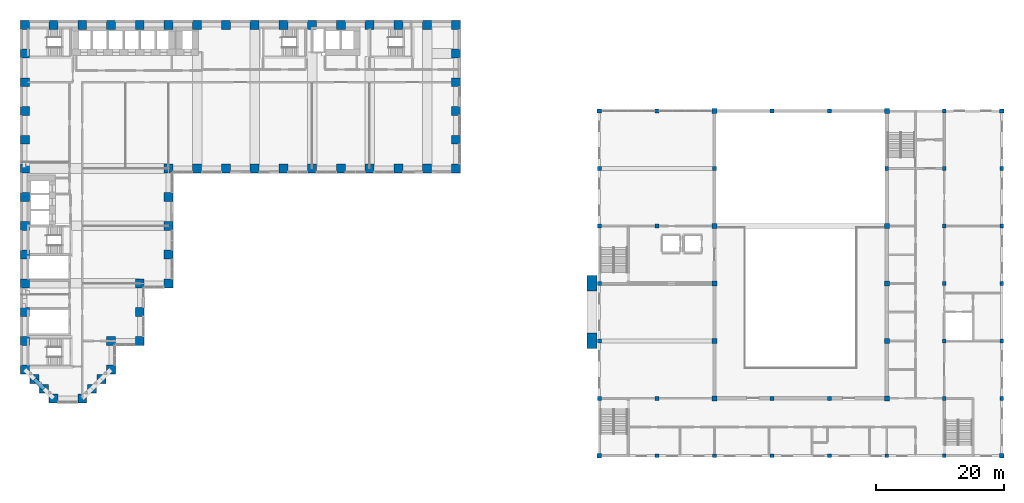
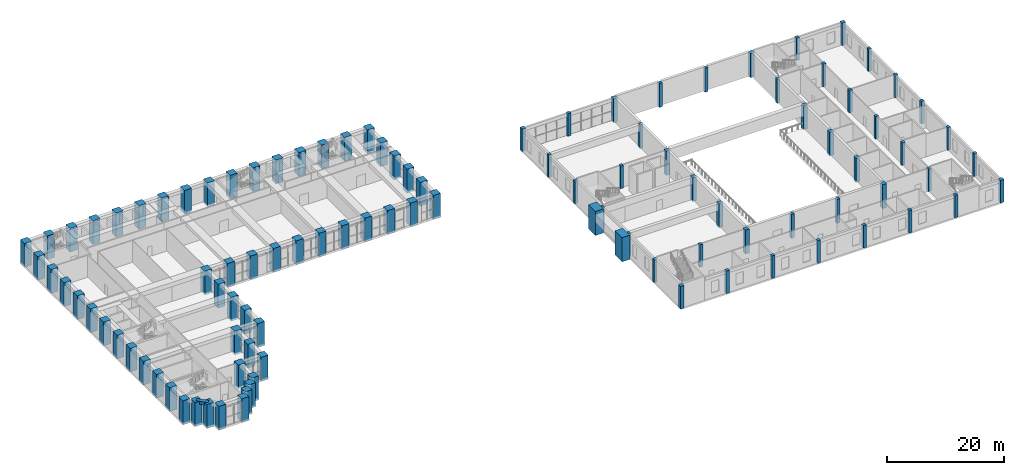
# One storey, part 1 of 34: 105 columns, 1 beam.
"""IFC4 building model written with IfcOpenShell, lengths in metres."""

from ifc_helpers import new_model, si_unit, direction, frame, origin, origin_2d, place, context, subcontext, project, spatial, rectangle, extrude, material, material_profile, profile_set, type_object, element, save


model = new_model("IFC4")

# Units and contexts
model_context = context("Model", 3, precision=1e-05, world=origin(), true_north=direction((0.0, 1.0)))
body_context = subcontext(model_context, "Body", "Model", "MODEL_VIEW")
ifc_project = project(units=[si_unit("LENGTHUNIT", "METRE"), si_unit("AREAUNIT", "SQUARE_METRE"), si_unit("VOLUMEUNIT", "CUBIC_METRE"), si_unit("PLANEANGLEUNIT", "RADIAN"), si_unit("MASSUNIT", "GRAM", prefix="KILO")], contexts=[model_context])

# Site, building, storey
site_placement = place(None, origin())
site = spatial("IfcSite", under=ifc_project, at=site_placement, CompositionType="ELEMENT")
building_placement = place(site_placement, origin())
building = spatial("IfcBuilding", under=site, at=building_placement, Name="Firuza Court", CompositionType="ELEMENT")
storey_placement = place(building_placement, frame((0.0, 0.0, 19.0)))
storey = spatial("IfcBuildingStorey", under=building, at=storey_placement, Name="L03", CompositionType="ELEMENT", Elevation=19.0)

# Columns
ifc_material_1 = material(Name="Concrete C40/50", Category="concrete")
ifc_material_profile_1 = material_profile(ifc_material_1, rectangle(XDim=0.60009765625, YDim=0.60009765625, at=origin_2d()), Name="RC 600X600")
ifc_profile_set_1 = profile_set([ifc_material_profile_1], Name="Concrete C40/50")
column_type_1 = type_object("IfcColumnType", Name="RC COLUMN 600X600", PredefinedType="COLUMN", material=ifc_profile_set_1)
for number, where, z_axis, x_axis, name in (
    (1, (90.0, 0.0, 0.0), (0.0, 0.0, 1.0), (1.0, 0.0, 0.0), "Column 1-2 L03"),
    (2, (90.0, 9.0, 0.0), (0.0, 0.0, 1.0), (1.0, 0.0, 0.0), "Column 1-3 L03"),
    (3, (90.0, 18.0, 0.0), (0.0, 0.0, 1.0), (1.0, 0.0, 0.0), "Column 1-4 L03"),
    (4, (90.0, 27.0, 0.0), (0.0, 0.0, 1.0), (1.0, 0.0, 0.0), "Column 1-5 L03"),
    (5, (90.0, 36.0, 0.0), (0.0, 0.0, 1.0), (1.0, 0.0, 0.0), "Column 1-6 L03"),
    (6, (99.0, -9.0, 0.0), (0.0, 0.0, 1.0), (1.0, 0.0, 0.0), "Column 2-1 L03"),
    (7, (99.0, 0.0, 0.0), (0.0, 0.0, 1.0), (1.0, 0.0, 0.0), "Column 2-2 L03"),
    (8, (99.0, 27.0, 0.0), (0.0, 0.0, 1.0), (1.0, 0.0, 0.0), "Column 2-5 L03"),
    (9, (99.0, 45.0, 0.0), (0.0, 0.0, 1.0), (1.0, 0.0, 0.0), "Column 2-7 L03"),
    (10, (108.0, -9.0, 0.0), (0.0, 0.0, 1.0), (1.0, 0.0, 0.0), "Column 3-1 L03"),
):
    element("IfcColumn", number, at=place(storey_placement, frame(where, z_axis=z_axis, x_axis=x_axis)), inside=storey, type_object=column_type_1, Name=name, PredefinedType="COLUMN", context=body_context, shape_type="SweptSolid", body=[
        extrude(rectangle(XDim=0.60009765625, YDim=0.60009765625, at=origin_2d()), origin(), (0.0, 0.0, 1.0), 4.699951171875),
    ])
column_1_placement = place(storey_placement, frame((108.0, 36.0, -0.300048828125), z_axis=(0.0, 0.0, 1.0), x_axis=(1.0, 0.0, 0.0)))
element("IfcColumn", 11, at=column_1_placement, inside=storey, type_object=column_type_1, Name="Column 3-6 L03", PredefinedType="COLUMN", context=body_context, shape_type="SweptSolid", body=[
    extrude(rectangle(XDim=0.60009765625, YDim=0.60009765625, at=origin_2d()), origin(), (0.0, 0.0, 1.0), 5.0),
])
column_2_placement = place(storey_placement, frame((117.0, -9.0, 0.0), z_axis=(0.0, 0.0, 1.0), x_axis=(1.0, 0.0, 0.0)))
element("IfcColumn", 12, at=column_2_placement, inside=storey, type_object=column_type_1, Name="Column 4-1 L03", PredefinedType="COLUMN", context=body_context, shape_type="SweptSolid", body=[
    extrude(rectangle(XDim=0.60009765625, YDim=0.60009765625, at=origin_2d()), origin(), (0.0, 0.0, 1.0), 4.699951171875),
])
for number, where, z_axis, x_axis, name in (
    (13, (117.0, 0.0, -0.300048828125), (0.0, 0.0, 1.0), (1.0, 0.0, 0.0), "Column 4-2 L03"),
    (14, (117.0, 45.0, -0.300048828125), (0.0, 0.0, 1.0), (1.0, 0.0, 0.0), "Column 4-7 L03"),
):
    element("IfcColumn", number, at=place(storey_placement, frame(where, z_axis=z_axis, x_axis=x_axis)), inside=storey, type_object=column_type_1, Name=name, PredefinedType="COLUMN", context=body_context, shape_type="SweptSolid", body=[
        extrude(rectangle(XDim=0.60009765625, YDim=0.60009765625, at=origin_2d()), origin(), (0.0, 0.0, 1.0), 5.0),
    ])
column_3_placement = place(storey_placement, frame((126.0, -9.0, 0.0), z_axis=(0.0, 0.0, 1.0), x_axis=(1.0, 0.0, 0.0)))
element("IfcColumn", 15, at=column_3_placement, inside=storey, type_object=column_type_1, Name="Column 5-1 L03", PredefinedType="COLUMN", context=body_context, shape_type="SweptSolid", body=[
    extrude(rectangle(XDim=0.60009765625, YDim=0.60009765625, at=origin_2d()), origin(), (0.0, 0.0, 1.0), 4.699951171875),
])
for number, where, z_axis, x_axis, name in (
    (16, (126.0, 0.0, -0.300048828125), (0.0, 0.0, 1.0), (1.0, 0.0, 0.0), "Column 5-2 L03"),
    (17, (126.0, 45.0, -0.300048828125), (0.0, 0.0, 1.0), (1.0, 0.0, 0.0), "Column 5-7 L03"),
):
    element("IfcColumn", number, at=place(storey_placement, frame(where, z_axis=z_axis, x_axis=x_axis)), inside=storey, type_object=column_type_1, Name=name, PredefinedType="COLUMN", context=body_context, shape_type="SweptSolid", body=[
        extrude(rectangle(XDim=0.60009765625, YDim=0.60009765625, at=origin_2d()), origin(), (0.0, 0.0, 1.0), 5.0),
    ])
column_4_placement = place(storey_placement, frame((135.0, -9.0, 0.0), z_axis=(0.0, 0.0, 1.0), x_axis=(1.0, 0.0, 0.0)))
element("IfcColumn", 18, at=column_4_placement, inside=storey, type_object=column_type_1, Name="Column 6-1 L03", PredefinedType="COLUMN", context=body_context, shape_type="SweptSolid", body=[
    extrude(rectangle(XDim=0.60009765625, YDim=0.60009765625, at=origin_2d()), origin(), (0.0, 0.0, 1.0), 4.699951171875),
])
column_5_placement = place(storey_placement, frame((135.0, 36.0, -0.300048828125), z_axis=(0.0, 0.0, 1.0), x_axis=(1.0, 0.0, 0.0)))
element("IfcColumn", 19, at=column_5_placement, inside=storey, type_object=column_type_1, Name="Column 6-6 L03", PredefinedType="COLUMN", context=body_context, shape_type="SweptSolid", body=[
    extrude(rectangle(XDim=0.60009765625, YDim=0.60009765625, at=origin_2d()), origin(), (0.0, 0.0, 1.0), 5.0),
])
for number, where, z_axis, x_axis, name in (
    (20, (144.0, -9.0, 0.0), (0.0, 0.0, 1.0), (1.0, 0.0, 0.0), "Column 7-1 L03"),
    (21, (144.0, 0.0, 0.0), (0.0, 0.0, 1.0), (1.0, 0.0, 0.0), "Column 7-2 L03"),
    (22, (144.0, 9.0, 0.0), (0.0, 0.0, 1.0), (1.0, 0.0, 0.0), "Column 7-3 L03"),
    (23, (144.0, 18.0, 0.0), (0.0, 0.0, 1.0), (1.0, 0.0, 0.0), "Column 7-4 L03"),
    (24, (144.0, 27.0, 0.0), (0.0, 0.0, 1.0), (1.0, 0.0, 0.0), "Column 7-5 L03"),
    (25, (144.0, 36.0, 0.0), (0.0, 0.0, 1.0), (1.0, 0.0, 0.0), "Column 7-6 L03"),
    (26, (144.0, 45.0, 0.0), (0.0, 0.0, 1.0), (1.0, 0.0, 0.0), "Column 7-7 L03"),
    (27, (153.0, 0.0, 0.0), (0.0, 0.0, 1.0), (1.0, 0.0, 0.0), "Column 8-2 L03"),
    (28, (153.0, 9.0, 0.0), (0.0, 0.0, 1.0), (1.0, 0.0, 0.0), "Column 8-3 L03"),
    (29, (153.0, 18.0, 0.0), (0.0, 0.0, 1.0), (1.0, 0.0, 0.0), "Column 8-4 L03"),
    (30, (153.0, 27.0, 0.0), (0.0, 0.0, 1.0), (1.0, 0.0, 0.0), "Column 8-5 L03"),
    (31, (153.0, 36.0, 0.0), (0.0, 0.0, 1.0), (1.0, 0.0, 0.0), "Column 8-6 L03"),
):
    element("IfcColumn", number, at=place(storey_placement, frame(where, z_axis=z_axis, x_axis=x_axis)), inside=storey, type_object=column_type_1, Name=name, PredefinedType="COLUMN", context=body_context, shape_type="SweptSolid", body=[
        extrude(rectangle(XDim=0.60009765625, YDim=0.60009765625, at=origin_2d()), origin(), (0.0, 0.0, 1.0), 4.699951171875),
    ])
ifc_material_2 = material(Name="Concrete C40/50", Category="concrete")
ifc_material_profile_2 = material_profile(ifc_material_2, rectangle(XDim=0.699951171875, YDim=0.699951171875, at=origin_2d()), Name="RC 700X700")
ifc_profile_set_2 = profile_set([ifc_material_profile_2], Name="Concrete C40/50")
column_type_2 = type_object("IfcColumnType", Name="RC COLUMN 700X700", PredefinedType="COLUMN", material=ifc_profile_set_2)
for number, where, z_axis, x_axis, name in (
    (32, (90.0, -9.0, 0.0), (0.0, 0.0, 1.0), (1.0, 0.0, 0.0), "Column 1-1 L03"),
    (33, (90.0, 45.0, 0.0), (0.0, 0.0, 1.0), (1.0, 0.0, 0.0), "Column 1-7 L03"),
    (34, (153.0, -9.0, 0.0), (0.0, 0.0, 1.0), (1.0, 0.0, 0.0), "Column 8-1 L03"),
    (35, (153.0, 45.0, 0.0), (0.0, 0.0, 1.0), (1.0, 0.0, 0.0), "Column 8-7 L03"),
):
    element("IfcColumn", number, at=place(storey_placement, frame(where, z_axis=z_axis, x_axis=x_axis)), inside=storey, type_object=column_type_2, Name=name, PredefinedType="COLUMN", context=body_context, shape_type="SweptSolid", body=[
        extrude(rectangle(XDim=0.699951171875, YDim=0.699951171875, at=origin_2d()), origin(), (0.0, 0.0, 1.0), 4.699951171875),
    ])
ifc_material_3 = material(Name="Concrete C40/50", Category="concrete")
ifc_material_profile_3 = material_profile(ifc_material_3, rectangle(XDim=0.800048828125, YDim=0.800048828125, at=origin_2d()), Name="RC 800X800")
ifc_profile_set_3 = profile_set([ifc_material_profile_3], Name="Concrete C40/50")
column_type_3 = type_object("IfcColumnType", Name="RC COLUMN 800X800", PredefinedType="COLUMN", material=ifc_profile_set_3)
for number, where, z_axis, x_axis, name in (
    (36, (108.0, 0.0, -0.300048828125), (0.0, 0.0, 1.0), (1.0, 0.0, 0.0), "Column 3-2 L03"),
    (37, (108.0, 9.0, -0.300048828125), (0.0, 0.0, 1.0), (1.0, 0.0, 0.0), "Column 3-3 L03"),
    (38, (108.0, 18.0, -0.300048828125), (0.0, 0.0, 1.0), (1.0, 0.0, 0.0), "Column 3-4 L03"),
    (39, (108.0, 27.0, -0.300048828125), (0.0, 0.0, 1.0), (1.0, 0.0, 0.0), "Column 3-5 L03"),
    (40, (108.0, 45.0, -0.300048828125), (0.0, 0.0, 1.0), (1.0, 0.0, 0.0), "Column 3-7 L03"),
    (41, (135.0, 0.0, -0.300048828125), (0.0, 0.0, 1.0), (1.0, 0.0, 0.0), "Column 6-2 L03"),
    (42, (135.0, 9.0, -0.300048828125), (0.0, 0.0, 1.0), (1.0, 0.0, 0.0), "Column 6-3 L03"),
    (43, (135.0, 18.0, -0.300048828125), (0.0, 0.0, 1.0), (1.0, 0.0, 0.0), "Column 6-4 L03"),
    (44, (135.0, 27.0, -0.300048828125), (0.0, 0.0, 1.0), (1.0, 0.0, 0.0), "Column 6-5 L03"),
    (45, (135.0, 45.0, -0.300048828125), (0.0, 0.0, 1.0), (1.0, 0.0, 0.0), "Column 6-7 L03"),
):
    element("IfcColumn", number, at=place(storey_placement, frame(where, z_axis=z_axis, x_axis=x_axis)), inside=storey, type_object=column_type_3, Name=name, PredefinedType="COLUMN", context=body_context, shape_type="SweptSolid", body=[
        extrude(rectangle(XDim=0.800048828125, YDim=0.800048828125, at=origin_2d()), origin(), (0.0, 0.0, 1.0), 5.0),
    ])
ifc_material_4 = material(Name="Concrete C40/50", Category="concrete")
ifc_material_profile_4 = material_profile(ifc_material_4, rectangle(XDim=1.60009765625, YDim=2.39990234375, at=origin_2d()), Name="RC 1600X2400")
ifc_profile_set_4 = profile_set([ifc_material_profile_4], Name="Concrete C40/50")
column_type_4 = type_object("IfcColumnType", Name="RC PORTAL PIER 1600X2400", PredefinedType="COLUMN", material=ifc_profile_set_4)
for number, where, z_axis, x_axis, name in (
    (46, (88.85009765625, 9.0, 0.0), (0.0, 0.0, 1.0), (1.0, 0.0, 0.0), "Portal pier 1 L03"),
    (47, (88.85009765625, 18.0, 0.0), (0.0, 0.0, 1.0), (1.0, 0.0, 0.0), "Portal pier 2 L03"),
):
    element("IfcColumn", number, at=place(storey_placement, frame(where, z_axis=z_axis, x_axis=x_axis)), inside=storey, type_object=column_type_4, Name=name, PredefinedType="COLUMN", context=body_context, shape_type="SweptSolid", body=[
        extrude(rectangle(XDim=1.60009765625, YDim=2.39990234375, at=origin_2d()), origin(), (0.0, 0.0, 1.0), 5.0),
    ])
ifc_material_5 = material(Name="Concrete C80/95", Category="concrete")
ifc_material_profile_5 = material_profile(ifc_material_5, rectangle(XDim=1.39990234375, YDim=1.39990234375, at=origin_2d()), Name="RC 1400x1400")
ifc_profile_set_5 = profile_set([ifc_material_profile_5], Name="Concrete C80/95")
column_type_5 = type_object("IfcColumnType", Name="Tube column RC 1400x1400 C80/95", PredefinedType="COLUMN", material=ifc_profile_set_5)
for number, where, z_axis, x_axis, name in (
    (48, (4.5, 0.0, -0.39990234375), (0.0, 0.0, 1.0), (1.0, 0.0, 0.0), "Column C-2D L03"),
    (49, (9.0, 0.0, -0.39990234375), (0.0, 0.0, 1.0), (1.0, 0.0, 0.0), "Column C-3D L03"),
    (50, (3.0, 1.5, -0.39990234375), (0.0, 0.0, 1.0), (1.0, 0.0, 0.0), "Column C-SA1 L03"),
    (51, (10.5, 1.5, -0.39990234375), (0.0, 0.0, 1.0), (1.0, 0.0, 0.0), "Column C-SA2 L03"),
    (52, (1.5, 3.0, -0.39990234375), (0.0, 0.0, 1.0), (1.0, 0.0, 0.0), "Column C-SA3 L03"),
    (53, (12.0, 3.0, -0.39990234375), (0.0, 0.0, 1.0), (1.0, 0.0, 0.0), "Column C-SA4 L03"),
    (54, (0.0, 4.5, -0.39990234375), (0.0, 0.0, 1.0), (1.0, 0.0, 0.0), "Column C-1E L03"),
    (55, (13.5, 4.5, -0.39990234375), (0.0, 0.0, 1.0), (1.0, 0.0, 0.0), "Column C-4E L03"),
    (56, (0.0, 9.0, -0.39990234375), (0.0, 0.0, 1.0), (1.0, 0.0, 0.0), "Column C-1F L03"),
    (57, (13.5, 9.0, -0.39990234375), (0.0, 0.0, 1.0), (1.0, 0.0, 0.0), "Column C-4F L03"),
    (58, (18.0, 9.0, -0.39990234375), (0.0, 0.0, 1.0), (1.0, 0.0, 0.0), "Column C-5F L03"),
    (59, (0.0, 13.5, -0.39990234375), (0.0, 0.0, 1.0), (1.0, 0.0, 0.0), "Column C-1G L03"),
    (60, (18.0, 13.5, -0.39990234375), (0.0, 0.0, 1.0), (1.0, 0.0, 0.0), "Column C-5G L03"),
    (61, (0.0, 18.0, -0.39990234375), (0.0, 0.0, 1.0), (1.0, 0.0, 0.0), "Column C-1H L03"),
    (62, (18.0, 18.0, -0.39990234375), (0.0, 0.0, 1.0), (1.0, 0.0, 0.0), "Column C-5H L03"),
    (63, (22.5, 18.0, -0.39990234375), (0.0, 0.0, 1.0), (1.0, 0.0, 0.0), "Column C-6H L03"),
    (64, (0.0, 22.5, -0.39990234375), (0.0, 0.0, 1.0), (1.0, 0.0, 0.0), "Column C-1J L03"),
    (65, (22.5, 22.5, -0.39990234375), (0.0, 0.0, 1.0), (1.0, 0.0, 0.0), "Column C-6J L03"),
    (66, (0.0, 27.0, -0.39990234375), (0.0, 0.0, 1.0), (1.0, 0.0, 0.0), "Column C-1K L03"),
    (67, (22.5, 27.0, -0.39990234375), (0.0, 0.0, 1.0), (1.0, 0.0, 0.0), "Column C-6K L03"),
    (68, (0.0, 31.5, -0.39990234375), (0.0, 0.0, 1.0), (1.0, 0.0, 0.0), "Column C-1L L03"),
    (69, (22.5, 31.5, -0.39990234375), (0.0, 0.0, 1.0), (1.0, 0.0, 0.0), "Column C-6L L03"),
    (70, (0.0, 36.0, -0.39990234375), (0.0, 0.0, 1.0), (1.0, 0.0, 0.0), "Column C-1M L03"),
    (71, (22.5, 36.0, -0.39990234375), (0.0, 0.0, 1.0), (1.0, 0.0, 0.0), "Column C-6M L03"),
    (72, (27.0, 36.0, -0.39990234375), (0.0, 0.0, 1.0), (1.0, 0.0, 0.0), "Column C-7M L03"),
    (73, (31.5, 36.0, -0.39990234375), (0.0, 0.0, 1.0), (1.0, 0.0, 0.0), "Column C-8M L03"),
    (74, (36.0, 36.0, -0.39990234375), (0.0, 0.0, 1.0), (1.0, 0.0, 0.0), "Column C-9M L03"),
    (75, (40.5, 36.0, -0.39990234375), (0.0, 0.0, 1.0), (1.0, 0.0, 0.0), "Column C-10M L03"),
    (76, (45.0, 36.0, -0.39990234375), (0.0, 0.0, 1.0), (1.0, 0.0, 0.0), "Column C-11M L03"),
    (77, (49.5, 36.0, -0.39990234375), (0.0, 0.0, 1.0), (1.0, 0.0, 0.0), "Column C-12M L03"),
    (78, (54.0, 36.0, -0.39990234375), (0.0, 0.0, 1.0), (1.0, 0.0, 0.0), "Column C-13M L03"),
    (79, (58.5, 36.0, -0.39990234375), (0.0, 0.0, 1.0), (1.0, 0.0, 0.0), "Column C-14M L03"),
    (80, (63.0, 36.0, -0.39990234375), (0.0, 0.0, 1.0), (1.0, 0.0, 0.0), "Column C-15M L03"),
    (81, (67.5, 36.0, -0.39990234375), (0.0, 0.0, 1.0), (1.0, 0.0, 0.0), "Column C-16M L03"),
    (82, (0.0, 40.5, -0.39990234375), (0.0, 0.0, 1.0), (1.0, 0.0, 0.0), "Column C-1N L03"),
    (83, (67.5, 40.5, -0.39990234375), (0.0, 0.0, 1.0), (1.0, 0.0, 0.0), "Column C-16N L03"),
    (84, (0.0, 45.0, -0.39990234375), (0.0, 0.0, 1.0), (1.0, 0.0, 0.0), "Column C-1P L03"),
    (85, (67.5, 45.0, -0.39990234375), (0.0, 0.0, 1.0), (1.0, 0.0, 0.0), "Column C-16P L03"),
    (86, (0.0, 49.5, -0.39990234375), (0.0, 0.0, 1.0), (1.0, 0.0, 0.0), "Column C-1Q L03"),
    (87, (67.5, 49.5, -0.39990234375), (0.0, 0.0, 1.0), (1.0, 0.0, 0.0), "Column C-16Q L03"),
    (88, (0.0, 54.0, -0.39990234375), (0.0, 0.0, 1.0), (1.0, 0.0, 0.0), "Column C-1R L03"),
    (89, (67.5, 54.0, -0.39990234375), (0.0, 0.0, 1.0), (1.0, 0.0, 0.0), "Column C-16R L03"),
    (90, (0.0, 58.5, -0.39990234375), (0.0, 0.0, 1.0), (1.0, 0.0, 0.0), "Column C-1S L03"),
    (91, (4.5, 58.5, -0.39990234375), (0.0, 0.0, 1.0), (1.0, 0.0, 0.0), "Column C-2S L03"),
    (92, (9.0, 58.5, -0.39990234375), (0.0, 0.0, 1.0), (1.0, 0.0, 0.0), "Column C-3S L03"),
    (93, (13.5, 58.5, -0.39990234375), (0.0, 0.0, 1.0), (1.0, 0.0, 0.0), "Column C-4S L03"),
    (94, (18.0, 58.5, -0.39990234375), (0.0, 0.0, 1.0), (1.0, 0.0, 0.0), "Column C-5S L03"),
    (95, (22.5, 58.5, -0.39990234375), (0.0, 0.0, 1.0), (1.0, 0.0, 0.0), "Column C-6S L03"),
    (96, (27.0, 58.5, -0.39990234375), (0.0, 0.0, 1.0), (1.0, 0.0, 0.0), "Column C-7S L03"),
    (97, (31.5, 58.5, -0.39990234375), (0.0, 0.0, 1.0), (1.0, 0.0, 0.0), "Column C-8S L03"),
    (98, (36.0, 58.5, -0.39990234375), (0.0, 0.0, 1.0), (1.0, 0.0, 0.0), "Column C-9S L03"),
    (99, (40.5, 58.5, -0.39990234375), (0.0, 0.0, 1.0), (1.0, 0.0, 0.0), "Column C-10S L03"),
    (100, (45.0, 58.5, -0.39990234375), (0.0, 0.0, 1.0), (1.0, 0.0, 0.0), "Column C-11S L03"),
    (101, (49.5, 58.5, -0.39990234375), (0.0, 0.0, 1.0), (1.0, 0.0, 0.0), "Column C-12S L03"),
    (102, (54.0, 58.5, -0.39990234375), (0.0, 0.0, 1.0), (1.0, 0.0, 0.0), "Column C-13S L03"),
    (103, (58.5, 58.5, -0.39990234375), (0.0, 0.0, 1.0), (1.0, 0.0, 0.0), "Column C-14S L03"),
    (104, (63.0, 58.5, -0.39990234375), (0.0, 0.0, 1.0), (1.0, 0.0, 0.0), "Column C-15S L03"),
    (105, (67.5, 58.5, -0.39990234375), (0.0, 0.0, 1.0), (1.0, 0.0, 0.0), "Column C-16S L03"),
):
    element("IfcColumn", number, at=place(storey_placement, frame(where, z_axis=z_axis, x_axis=x_axis)), inside=storey, type_object=column_type_5, Name=name, PredefinedType="COLUMN", context=body_context, shape_type="SweptSolid", body=[
        extrude(rectangle(XDim=1.39990234375, YDim=1.39990234375, at=origin_2d()), origin(), (0.0, 0.0, 1.0), 4.949951171875),
    ])

# Beam
ifc_material_6 = material(Name="Concrete C40/50", Category="concrete")
ifc_material_profile_6 = material_profile(ifc_material_6, rectangle(XDim=0.699951171875, YDim=0.64990234375, at=origin_2d()), Name="RC 700x650")
ifc_profile_set_6 = profile_set([ifc_material_profile_6], Name="Concrete C40/50")
beam_type = type_object("IfcBeamType", Name="Spandrel beam RC 700x650 C40/50", PredefinedType="BEAM", material=ifc_profile_set_6)
beam_placement = place(storey_placement, frame((1.5, 3.0, 4.22509765625), z_axis=(0.707106781187, -0.707106781187, 0.0), x_axis=(0.707106781187, 0.707106781187, 0.0)))
element("IfcBeam", 106, at=beam_placement, inside=storey, type_object=beam_type, Name="Spandrel beam SP9 level L04", PredefinedType="BEAM", context=body_context, shape_type="SweptSolid", body=[
    extrude(rectangle(XDim=0.699951171875, YDim=0.64990234375, at=origin_2d()), origin(), (0.0, 0.0, 1.0), 2.121337890625),
])

save(model, "model.ifc")
